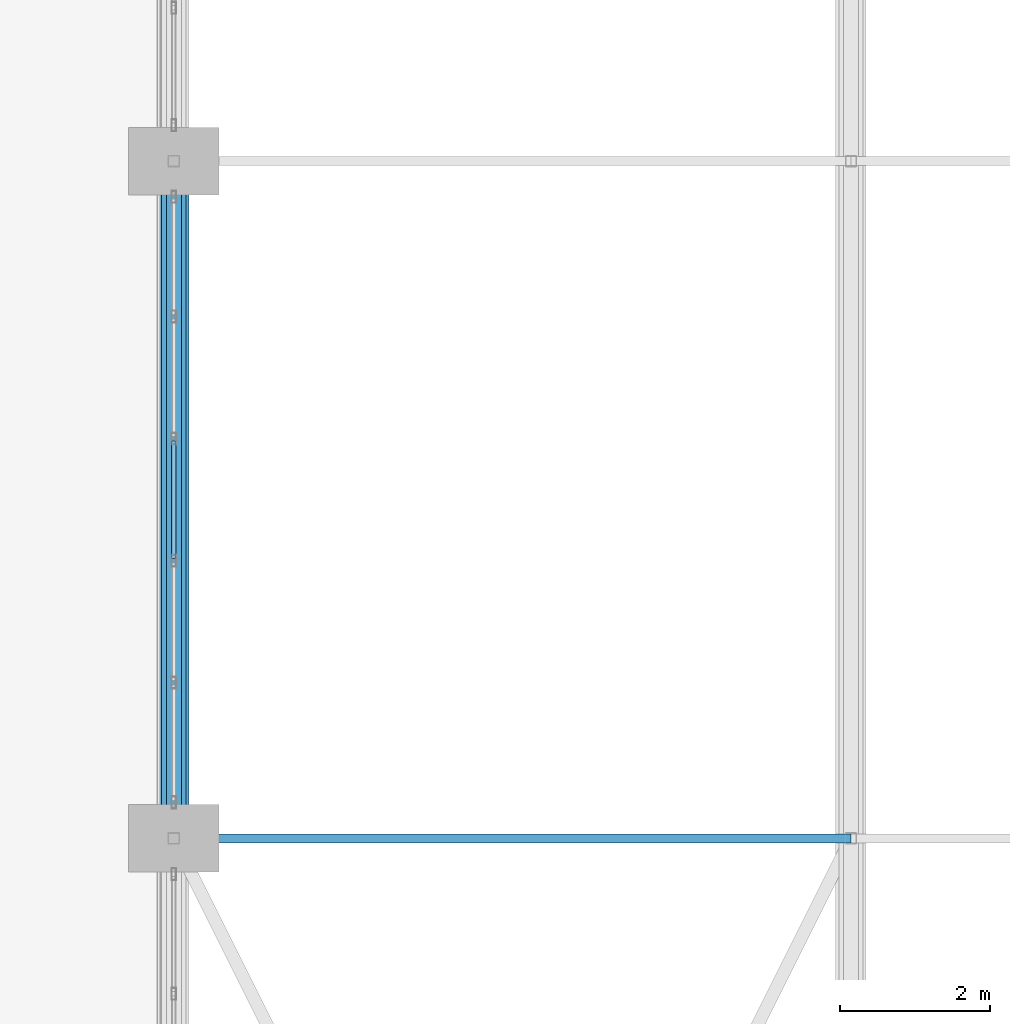
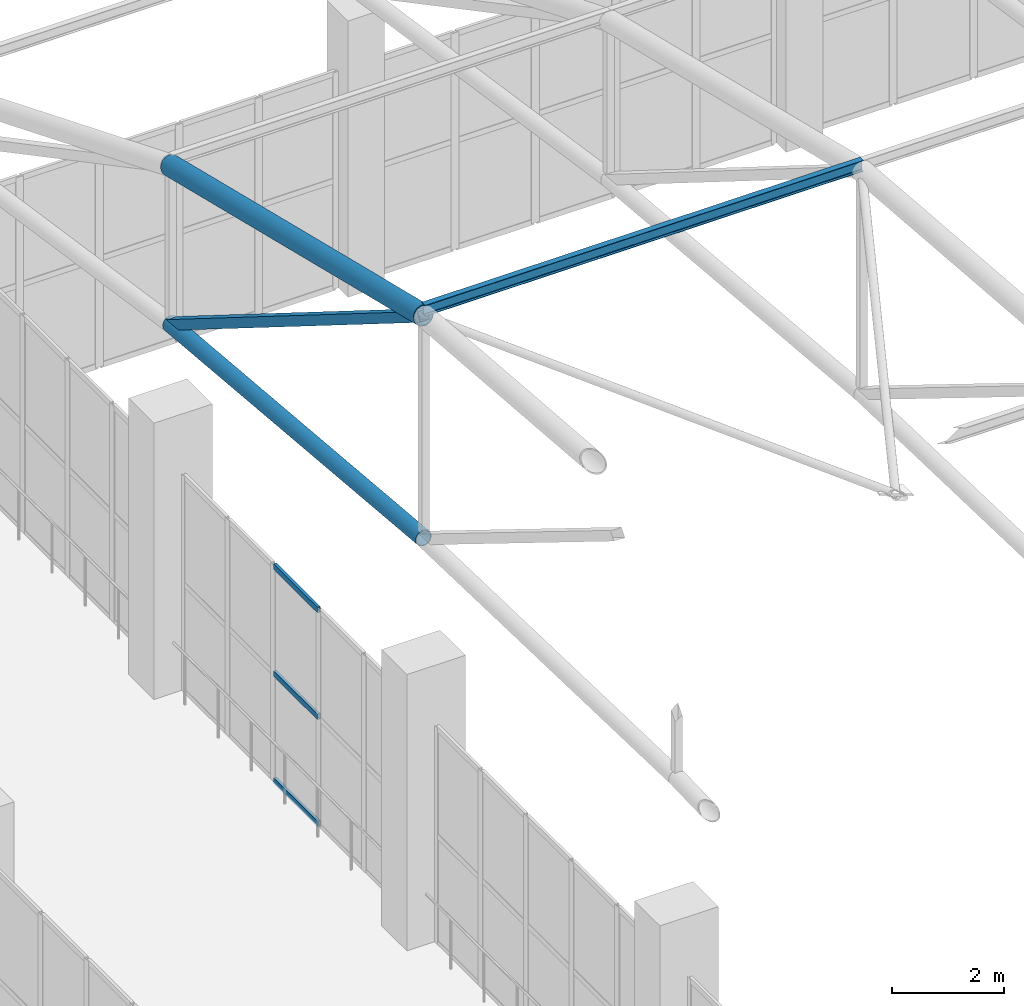
# One storey, part 120 of 223: 7 members, 1 element without a shape of its own.
"""IFC4 building model written with IfcOpenShell, lengths in metres."""

from ifc_helpers import new_model, si_unit, direction, frame, origin, origin_2d, place, context, subcontext, project, spatial, hollow_rectangle, hollow_circle, i_section, extrude, material, layer, layer_set, material_profile, profile_set, type_object, element, aggregate, save


model = new_model("IFC4")

# Units and contexts
model_context = context("Model", 3, precision=1e-05, world=origin(), true_north=direction((0.0, 1.0)))
body_context = subcontext(model_context, "Body", "Model", "MODEL_VIEW")
ifc_project = project(units=[si_unit("LENGTHUNIT", "METRE"), si_unit("AREAUNIT", "SQUARE_METRE"), si_unit("VOLUMEUNIT", "CUBIC_METRE"), si_unit("PLANEANGLEUNIT", "RADIAN"), si_unit("MASSUNIT", "GRAM", prefix="KILO")], contexts=[model_context])

# Site, building, storey
site_placement = place(None, origin())
site = spatial("IfcSite", under=ifc_project, at=site_placement, CompositionType="ELEMENT")
building_placement = place(site_placement, origin())
building = spatial("IfcBuilding", under=site, at=building_placement, Name="Dornveld Trade and Exhibition Forum", CompositionType="ELEMENT")
storey_placement = place(building_placement, frame((0.0, 0.0, 6.0)))
storey = spatial("IfcBuildingStorey", under=building, at=storey_placement, Name="L01", CompositionType="ELEMENT", Elevation=6.0)

# Curtain wall, members
ifc_material_1 = material(Name="Dark-bronze anodised aluminium and low-E glass", Category="aluminium")
ifc_layer = layer(ifc_material_1, 0.18994140625)
ifc_layer_set = layer_set([ifc_layer], Name="Dark-bronze anodised aluminium and low-E glass")
curtain_wall_type = type_object("IfcCurtainWallType", Name="CW-SYS-16", PredefinedType="USERDEFINED", material=ifc_layer_set)
curtain_wall_placement = place(storey_placement, origin())
curtain_wall = element("IfcCurtainWall", 1, at=curtain_wall_placement, inside=storey, type_object=curtain_wall_type, Name="L01 unitised curtain wall 16", ObjectType="UNITISED_CURTAIN_WALL", PredefinedType="USERDEFINED")
ifc_material_2 = material(Name="Dark-bronze anodised aluminium", Category="aluminium")
ifc_material_profile_1 = material_profile(ifc_material_2, hollow_rectangle(XDim=0.06005859375, YDim=0.1201171875, WallThickness=0.00390625, at=origin_2d()), Name="RHS 120x60x4")
ifc_profile_set_1 = profile_set([ifc_material_profile_1], Name="Dark-bronze anodised aluminium")
member_type_1 = type_object("IfcMemberType", Name="CW-TRN-120", PredefinedType="USERDEFINED", material=ifc_profile_set_1)
member_1_placement = place(storey_placement, frame((99.0, 149.28076171875, 0.02587890625), z_axis=(0.0, -1.0, 0.0), x_axis=(1.0, 0.0, 0.0)))
member_1 = element("IfcMember", 2, at=member_1_placement, type_object=member_type_1, Name="CW-16 transom 3.1", ObjectType="TRANSOM", PredefinedType="USERDEFINED", context=body_context, shape_type="SweptSolid", body=[
    extrude(hollow_rectangle(XDim=0.06005859375, YDim=0.1201171875, WallThickness=0.00390625, at=origin_2d()), origin(), (0.0, 0.0, 1.0), 1.5615234375),
])
member_2_placement = place(storey_placement, frame((99.0, 149.28076171875, 2.347900390625), z_axis=(0.0, -1.0, 0.0), x_axis=(1.0, 0.0, 0.0)))
member_2 = element("IfcMember", 3, at=member_2_placement, type_object=member_type_1, Name="CW-16 transom 3.2", ObjectType="TRANSOM", PredefinedType="USERDEFINED", context=body_context, shape_type="SweptSolid", body=[
    extrude(hollow_rectangle(XDim=0.06005859375, YDim=0.1201171875, WallThickness=0.00390625, at=origin_2d()), origin(), (0.0, 0.0, 1.0), 1.5615234375),
])
member_3_placement = place(storey_placement, frame((99.0, 149.28076171875, 4.669921875), z_axis=(0.0, -1.0, 0.0), x_axis=(1.0, 0.0, 0.0)))
member_3 = element("IfcMember", 4, at=member_3_placement, type_object=member_type_1, Name="CW-16 transom 3.3", ObjectType="TRANSOM", PredefinedType="USERDEFINED", context=body_context, shape_type="SweptSolid", body=[
    extrude(hollow_rectangle(XDim=0.06005859375, YDim=0.1201171875, WallThickness=0.00390625, at=origin_2d()), origin(), (0.0, 0.0, 1.0), 1.5615234375),
])
aggregate(curtain_wall, [member_1, member_2, member_3])

# Members
ifc_material_3 = material(Name="Steel S355J2", Category="steel")
ifc_material_profile_2 = material_profile(ifc_material_3, hollow_circle(Radius=0.161865234375, WallThickness=0.01611328125, at=origin_2d()), Name="CHS 323.9x16")
ifc_profile_set_2 = profile_set([ifc_material_profile_2], Name="Steel S355J2")
member_type_2 = type_object("IfcMemberType", Name="MEM-ARCH-BC", PredefinedType="CHORD", material=ifc_profile_set_2)
member_4_placement = place(storey_placement, frame((99.0, 144.0, 8.4833984375), z_axis=(0.0, 0.996072164085, -0.088545151956), x_axis=(-1.0, 0.0, 0.0)))
element("IfcMember", 5, at=member_4_placement, inside=storey, type_object=member_type_2, Name="H1 truss 1 tie chord 5", PredefinedType="CHORD", context=body_context, shape_type="SweptSolid", body=[
    extrude(hollow_circle(Radius=0.161865234375, WallThickness=0.01611328125, at=origin_2d()), origin(), (0.0, 0.0, 1.0), 9.035400390625),
])
ifc_material_4 = material(Name="Steel S355J2", Category="steel")
ifc_material_profile_3 = material_profile(ifc_material_4, hollow_circle(Radius=0.203125, WallThickness=0.02001953125, at=origin_2d()), Name="CHS 406.4x20")
ifc_profile_set_3 = profile_set([ifc_material_profile_3], Name="Steel S355J2")
member_type_3 = type_object("IfcMemberType", Name="MEM-ARCH-TC", PredefinedType="CHORD", material=ifc_profile_set_3)
member_5_placement = place(storey_placement, frame((99.0, 144.0, 13.316650390625), z_axis=(0.0, 0.971400222114, -0.237448117444), x_axis=(-1.0, 0.0, 0.0)))
element("IfcMember", 6, at=member_5_placement, inside=storey, type_object=member_type_3, Name="H1 truss 1 top chord 5", PredefinedType="CHORD", context=body_context, shape_type="SweptSolid", body=[
    extrude(hollow_circle(Radius=0.203125, WallThickness=0.02001953125, at=origin_2d()), origin(), (0.0, 0.0, 1.0), 9.264892578125),
])
ifc_material_5 = material(Name="Steel S355J2", Category="steel")
ifc_material_profile_4 = material_profile(ifc_material_5, hollow_rectangle(XDim=0.199951171875, YDim=0.199951171875, WallThickness=0.010009765625, at=origin_2d()), Name="SHS 200x200x10")
ifc_profile_set_4 = profile_set([ifc_material_profile_4], Name="Steel S355J2")
member_type_4 = type_object("IfcMemberType", Name="MEM-ARCH-WEB", PredefinedType="BRACE", material=ifc_profile_set_4)
member_6_placement = place(storey_placement, frame((99.0, 153.0, 7.683349609375), z_axis=(0.0, -0.847646750348, 0.530561011218), x_axis=(1.0, 0.0, 0.0)))
element("IfcMember", 7, at=member_6_placement, inside=storey, type_object=member_type_4, Name="H1 truss 1 web 5", PredefinedType="BRACE", context=body_context, shape_type="SweptSolid", body=[
    extrude(hollow_rectangle(XDim=0.199951171875, YDim=0.199951171875, WallThickness=0.010009765625, at=origin_2d()), origin(), (0.0, 0.0, 1.0), 10.61767578125),
])
ifc_material_6 = material(Name="Steel S355J2", Category="steel")
ifc_material_profile_5 = material_profile(ifc_material_6, i_section(OverallWidth=0.1201171875, OverallDepth=0.239990234375, WebThickness=0.006103515625, FlangeThickness=0.009765625, FilletRadius=0.014892578125, at=origin_2d()), Name="IPE 240")
ifc_profile_set_5 = profile_set([ifc_material_profile_5], Name="Steel S355J2")
member_type_5 = type_object("IfcMemberType", Name="MEM-PURLIN-240", PredefinedType="PURLIN", material=ifc_profile_set_5)
member_7_placement = place(storey_placement, frame((99.0, 144.0, 13.44873046875), z_axis=(1.0, 0.0, 0.0), x_axis=(0.0, 1.0, 0.0)))
element("IfcMember", 8, at=member_7_placement, inside=storey, type_object=member_type_5, Name="H1 bay 1 roof purlin 5", PredefinedType="PURLIN", context=body_context, shape_type="SweptSolid", body=[
    extrude(i_section(OverallWidth=0.1201171875, OverallDepth=0.239990234375, WebThickness=0.006103515625, FlangeThickness=0.009765625, FilletRadius=0.014892578125, at=origin_2d()), origin(), (0.0, 0.0, 1.0), 9.0),
])

save(model, "model.ifc")
